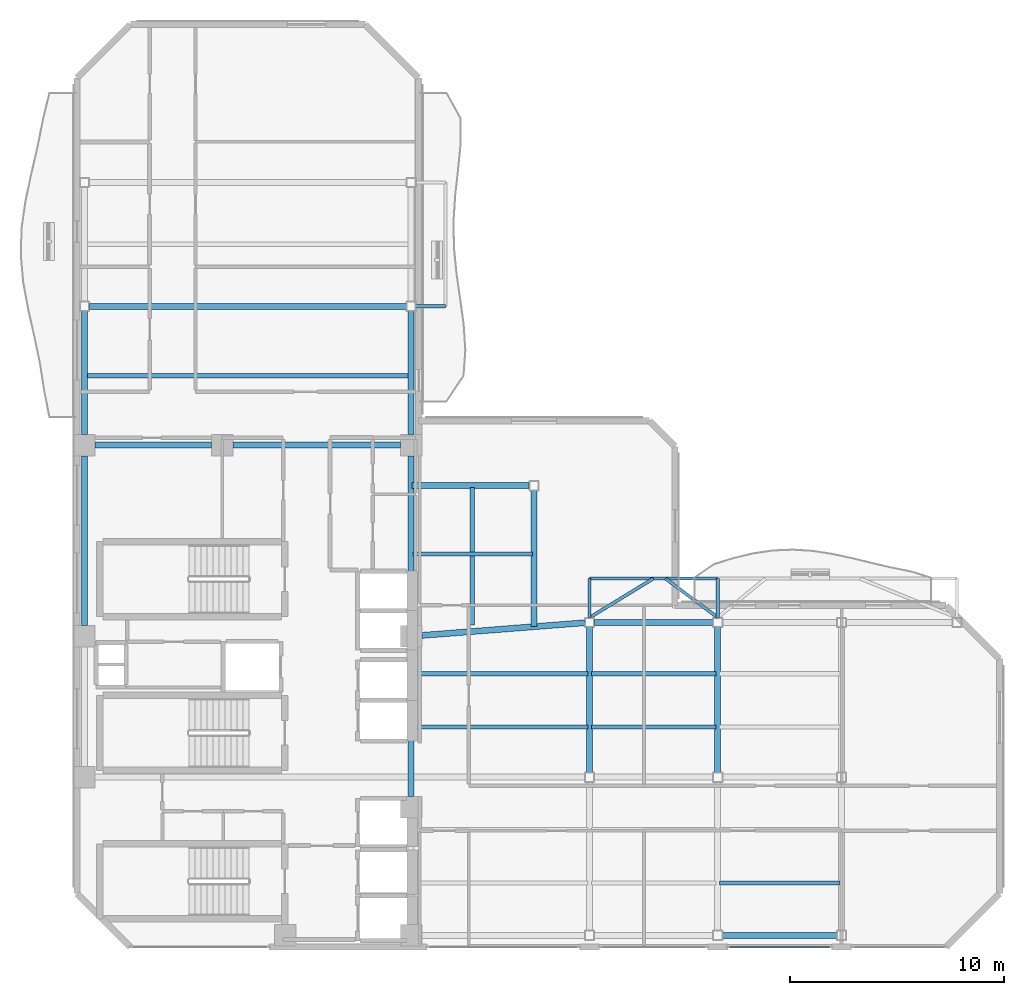
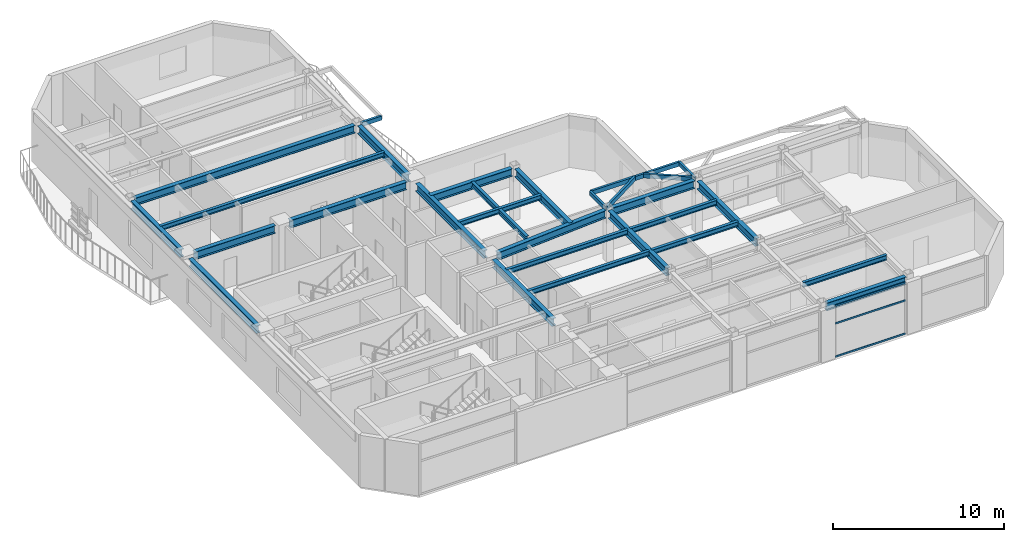
# One storey, part 6 of 17: 29 beams, 3 members, 1 element without a shape of its own.
"""IFC4 building model written with IfcOpenShell, lengths in metres."""

from ifc_helpers import new_model, si_unit, direction, frame, origin, origin_2d, place, context, subcontext, project, spatial, hollow_rectangle, i_section, extrude, material, layer, layer_set, material_profile, profile_set, type_object, element, aggregate, save


model = new_model("IFC4")

# Units and contexts
model_context = context("Model", 3, precision=1e-05, world=origin(), true_north=direction((0.0, 1.0)))
body_context = subcontext(model_context, "Body", "Model", "MODEL_VIEW")
ifc_project = project(units=[si_unit("LENGTHUNIT", "METRE"), si_unit("AREAUNIT", "SQUARE_METRE"), si_unit("VOLUMEUNIT", "CUBIC_METRE"), si_unit("PLANEANGLEUNIT", "RADIAN"), si_unit("MASSUNIT", "GRAM", prefix="KILO")], contexts=[model_context])

# Site, building, storey
site_placement = place(None, origin())
site = spatial("IfcSite", under=ifc_project, at=site_placement, CompositionType="ELEMENT")
building_placement = place(site_placement, origin())
building = spatial("IfcBuilding", under=site, at=building_placement, Name="Mawjaban Terraces University", CompositionType="ELEMENT")
storey_placement = place(building_placement, frame((0.0, 0.0, 183.60009765625)))
storey = spatial("IfcBuildingStorey", under=building, at=storey_placement, Name="L44", CompositionType="ELEMENT", Elevation=183.60009765625)

# Beams
ifc_material_1 = material(Name="Steel EN 10210-1 S355J2H", Category="steel")
ifc_material_profile_1 = material_profile(ifc_material_1, hollow_rectangle(XDim=0.14990234375, YDim=0.300048828125, WallThickness=0.012451171875, at=origin_2d()), Name="RHS300X150X12.5")
ifc_profile_set_1 = profile_set([ifc_material_profile_1], Name="Steel EN 10210-1 S355J2H")
beam_type_1 = type_object("IfcBeamType", Name="BalconyCantileverSpandrel_RHS", PredefinedType="SPANDREL", material=ifc_profile_set_1)
beam_1_placement = place(storey_placement, frame((52.0, 15.425048828125, 3.539794921875), z_axis=(0.0, 1.0, 0.0), x_axis=(-1.0, 0.0, 0.0)))
element("IfcBeam", 1, at=beam_1_placement, inside=storey, type_object=beam_type_1, Name="L44 Exterior Outrigger BAL-L45-N.1", PredefinedType="SPANDREL", context=body_context, shape_type="SweptSolid", body=[
    extrude(hollow_rectangle(XDim=0.14990234375, YDim=0.300048828125, WallThickness=0.012451171875, at=origin_2d()), origin(), (0.0, 0.0, 1.0), 1.824951171875),
])
beam_2_placement = place(storey_placement, frame((37.875, 30.0, 3.539794921875), z_axis=(1.0, 0.0, 0.0), x_axis=(0.0, 1.0, 0.0)))
element("IfcBeam", 2, at=beam_2_placement, inside=storey, type_object=beam_type_1, Name="L44 Exterior Outrigger BAL-L45-E.1", PredefinedType="SPANDREL", context=body_context, shape_type="SweptSolid", body=[
    extrude(hollow_rectangle(XDim=0.14990234375, YDim=0.300048828125, WallThickness=0.012451171875, at=origin_2d()), origin(), (0.0, 0.0, 1.0), 1.375),
])
beam_3_placement = place(storey_placement, frame((46.0, 15.425048828125, 3.539794921875), z_axis=(0.0, 1.0, 0.0), x_axis=(-1.0, 0.0, 0.0)))
element("IfcBeam", 3, at=beam_3_placement, inside=storey, type_object=beam_type_1, Name="L44 Exterior Outrigger TER-L45-CLIMB.1", PredefinedType="SPANDREL", context=body_context, shape_type="SweptSolid", body=[
    extrude(hollow_rectangle(XDim=0.14990234375, YDim=0.300048828125, WallThickness=0.012451171875, at=origin_2d()), origin(), (0.0, 0.0, 1.0), 1.824951171875),
])
beam_4_placement = place(storey_placement, frame((46.0, 17.25, 3.539794921875), z_axis=(1.0, 0.0, 0.0), x_axis=(0.0, 1.0, 0.0)))
element("IfcBeam", 4, at=beam_4_placement, inside=storey, type_object=beam_type_1, Name="L44 Exterior Edge Spandrel TER-L45-CLIMB", PredefinedType="SPANDREL", context=body_context, shape_type="SweptSolid", body=[
    extrude(hollow_rectangle(XDim=0.14990234375, YDim=0.300048828125, WallThickness=0.012451171875, at=origin_2d()), origin(), (0.0, 0.0, 1.0), 6.0),
])
beam_5_placement = place(storey_placement, frame((46.0, 15.425048828125, 3.539794921875), z_axis=(0.853190401933, 0.521599595522, 0.0), x_axis=(-0.521599595522, 0.853190401933, 0.0)))
element("IfcBeam", 5, at=beam_5_placement, inside=storey, type_object=beam_type_1, Name="L44 Exterior Diagonal Strut TER-L45-CLIMB.1", PredefinedType="SPANDREL", context=body_context, shape_type="SweptSolid", body=[
    extrude(hollow_rectangle(XDim=0.14990234375, YDim=0.300048828125, WallThickness=0.012451171875, at=origin_2d()), origin(), (0.0, 0.0, 1.0), 3.498779296875),
])
beam_6_placement = place(storey_placement, frame((52.0, 15.425048828125, 3.539794921875), z_axis=(-0.800211756754, 0.599717553814, 0.0), x_axis=(-0.599717553814, -0.800211756754, 0.0)))
element("IfcBeam", 6, at=beam_6_placement, inside=storey, type_object=beam_type_1, Name="L44 Exterior Diagonal Strut TER-L45-CLIMB.2", PredefinedType="SPANDREL", context=body_context, shape_type="SweptSolid", body=[
    extrude(hollow_rectangle(XDim=0.14990234375, YDim=0.300048828125, WallThickness=0.012451171875, at=origin_2d()), origin(), (0.0, 0.0, 1.0), 3.04296875),
])
ifc_material_2 = material(Name="Steel ASTM A572 Grade 50", Category="steel")
ifc_material_profile_2 = material_profile(ifc_material_2, i_section(OverallWidth=0.281005859375, OverallDepth=0.551025390625, WebThickness=0.01513671875, FlangeThickness=0.02587890625, at=origin_2d()), Name="W530X182")
ifc_profile_set_2 = profile_set([ifc_material_profile_2], Name="Steel ASTM A572 Grade 50")
beam_type_2 = type_object("IfcBeamType", Name="Beam_B_W530X182", PredefinedType="BEAM", material=ifc_profile_set_2)
beam_7_placement = place(storey_placement, frame((52.22509765625, 0.550048828125, 3.413818359375), z_axis=(1.0, 0.0, 0.0), x_axis=(0.0, 1.0, 0.0)))
element("IfcBeam", 7, at=beam_7_placement, inside=storey, type_object=beam_type_2, Name="L44 Beam BM-L44-EW-03", PredefinedType="BEAM", context=body_context, shape_type="SweptSolid", body=[
    extrude(i_section(OverallWidth=0.281005859375, OverallDepth=0.551025390625, WebThickness=0.01513671875, FlangeThickness=0.02587890625, at=origin_2d()), origin(), (0.0, 0.0, 1.0), 5.349853515625),
])
beam_8_placement = place(storey_placement, frame((46.22509765625, 15.199951171875, 3.413818359375), z_axis=(1.0, 0.0, 0.0), x_axis=(0.0, 1.0, 0.0)))
element("IfcBeam", 8, at=beam_8_placement, inside=storey, type_object=beam_type_2, Name="L44 Beam BM-L44-EW-07", PredefinedType="BEAM", context=body_context, shape_type="SweptSolid", body=[
    extrude(i_section(OverallWidth=0.281005859375, OverallDepth=0.551025390625, WebThickness=0.01513671875, FlangeThickness=0.02587890625, at=origin_2d()), origin(), (0.0, 0.0, 1.0), 5.5498046875),
])
beam_9_placement = place(storey_placement, frame((22.85009765625, 23.5, 3.413818359375), z_axis=(1.0, 0.0, 0.0), x_axis=(0.0, 1.0, 0.0)))
element("IfcBeam", 9, at=beam_9_placement, inside=storey, type_object=beam_type_2, Name="L44 Beam BM-L44-EW-10", PredefinedType="BEAM", context=body_context, shape_type="SweptSolid", body=[
    extrude(i_section(OverallWidth=0.281005859375, OverallDepth=0.551025390625, WebThickness=0.01513671875, FlangeThickness=0.02587890625, at=origin_2d()), origin(), (0.0, 0.0, 1.0), 5.449951171875),
])
beam_10_placement = place(storey_placement, frame((29.300048828125, 23.5, 3.413818359375), z_axis=(1.0, 0.0, 0.0), x_axis=(0.0, 1.0, 0.0)))
element("IfcBeam", 10, at=beam_10_placement, inside=storey, type_object=beam_type_2, Name="L44 Beam BM-L44-EW-11", PredefinedType="BEAM", context=body_context, shape_type="SweptSolid", body=[
    extrude(i_section(OverallWidth=0.281005859375, OverallDepth=0.551025390625, WebThickness=0.01513671875, FlangeThickness=0.02587890625, at=origin_2d()), origin(), (0.0, 0.0, 1.0), 7.849853515625),
])
beam_11_placement = place(storey_placement, frame((22.574951171875, 30.0, 3.413818359375), z_axis=(1.0, 0.0, 0.0), x_axis=(0.0, 1.0, 0.0)))
element("IfcBeam", 11, at=beam_11_placement, inside=storey, type_object=beam_type_2, Name="L44 Beam BM-L44-EW-12", PredefinedType="BEAM", context=body_context, shape_type="SweptSolid", body=[
    extrude(i_section(OverallWidth=0.281005859375, OverallDepth=0.551025390625, WebThickness=0.01513671875, FlangeThickness=0.02587890625, at=origin_2d()), origin(), (0.0, 0.0, 1.0), 14.85009765625),
])
beam_12_placement = place(storey_placement, frame((22.35009765625, 15.050048828125, 3.413818359375), z_axis=(0.0, 1.0, 0.0), x_axis=(-1.0, 0.0, 0.0)))
element("IfcBeam", 12, at=beam_12_placement, inside=storey, type_object=beam_type_2, Name="L44 Beam BM-L44-NS-02", PredefinedType="BEAM", context=body_context, shape_type="SweptSolid", body=[
    extrude(i_section(OverallWidth=0.281005859375, OverallDepth=0.551025390625, WebThickness=0.01513671875, FlangeThickness=0.02587890625, at=origin_2d()), origin(), (0.0, 0.0, 1.0), 7.949951171875),
])
beam_13_placement = place(storey_placement, frame((22.35009765625, 24.0, 3.413818359375), z_axis=(0.0, 1.0, 0.0), x_axis=(-1.0, 0.0, 0.0)))
element("IfcBeam", 13, at=beam_13_placement, inside=storey, type_object=beam_type_2, Name="L44 Beam BM-L44-NS-03", PredefinedType="BEAM", context=body_context, shape_type="SweptSolid", body=[
    extrude(i_section(OverallWidth=0.281005859375, OverallDepth=0.551025390625, WebThickness=0.01513671875, FlangeThickness=0.02587890625, at=origin_2d()), origin(), (0.0, 0.0, 1.0), 5.77490234375),
])
beam_14_placement = place(storey_placement, frame((37.64990234375, 7.050048828125, 3.413818359375), z_axis=(0.0, 1.0, 0.0), x_axis=(-1.0, 0.0, 0.0)))
element("IfcBeam", 14, at=beam_14_placement, inside=storey, type_object=beam_type_2, Name="L44 Beam BM-L44-NS-06", PredefinedType="BEAM", context=body_context, shape_type="SweptSolid", body=[
    extrude(i_section(OverallWidth=0.281005859375, OverallDepth=0.551025390625, WebThickness=0.01513671875, FlangeThickness=0.02587890625, at=origin_2d()), origin(), (0.0, 0.0, 1.0), 7.0),
])
beam_15_placement = place(storey_placement, frame((37.64990234375, 15.050048828125, 3.413818359375), z_axis=(0.0, 1.0, 0.0), x_axis=(-1.0, 0.0, 0.0)))
element("IfcBeam", 15, at=beam_15_placement, inside=storey, type_object=beam_type_2, Name="L44 Beam BM-L44-NS-07", PredefinedType="BEAM", context=body_context, shape_type="SweptSolid", body=[
    extrude(i_section(OverallWidth=0.281005859375, OverallDepth=0.551025390625, WebThickness=0.01513671875, FlangeThickness=0.02587890625, at=origin_2d()), origin(), (0.0, 0.0, 1.0), 7.949951171875),
])
beam_16_placement = place(storey_placement, frame((37.64990234375, 24.0, 3.413818359375), z_axis=(0.0, 1.0, 0.0), x_axis=(-1.0, 0.0, 0.0)))
element("IfcBeam", 16, at=beam_16_placement, inside=storey, type_object=beam_type_2, Name="L44 Beam BM-L44-NS-08", PredefinedType="BEAM", context=body_context, shape_type="SweptSolid", body=[
    extrude(i_section(OverallWidth=0.281005859375, OverallDepth=0.551025390625, WebThickness=0.01513671875, FlangeThickness=0.02587890625, at=origin_2d()), origin(), (0.0, 0.0, 1.0), 5.77490234375),
])
for number, where, z_axis, x_axis, name in (
    (17, (46.0, 8.175048828125, 3.413818359375), (0.0, 1.0, 0.0), (-1.0, 0.0, 0.0), "L44 Beam BM-L44-NS-11"),
    (18, (52.0, 8.175048828125, 3.413818359375), (0.0, 1.0, 0.0), (-1.0, 0.0, 0.0), "L44 Beam BM-L44-NS-13"),
):
    element("IfcBeam", number, at=place(storey_placement, frame(where, z_axis=z_axis, x_axis=x_axis)), inside=storey, type_object=beam_type_2, Name=name, PredefinedType="BEAM", context=body_context, shape_type="SweptSolid", body=[
        extrude(i_section(OverallWidth=0.281005859375, OverallDepth=0.551025390625, WebThickness=0.01513671875, FlangeThickness=0.02587890625, at=origin_2d()), origin(), (0.0, 0.0, 1.0), 6.800048828125),
    ])
beam_17_placement = place(storey_placement, frame((38.14794921875, 14.589111328125, 3.413818359375), z_axis=(0.99698177718, 0.077635919341, 0.0), x_axis=(-0.077635919341, 0.99698177718, 0.0)))
element("IfcBeam", 19, at=beam_17_placement, inside=storey, type_object=beam_type_2, Name="L44 Beam BM-L44-CTIE", PredefinedType="BEAM", context=body_context, shape_type="SweptSolid", body=[
    extrude(i_section(OverallWidth=0.281005859375, OverallDepth=0.551025390625, WebThickness=0.01513671875, FlangeThickness=0.02587890625, at=origin_2d()), origin(), (0.0, 0.0, 1.0), 7.651123046875),
])
beam_18_placement = place(storey_placement, frame((37.679931640625, 21.60009765625, 3.413818359375), z_axis=(1.0, 0.0, 0.0), x_axis=(0.0, 1.0, 0.0)))
element("IfcBeam", 20, at=beam_18_placement, inside=storey, type_object=beam_type_2, Name="L44 Spur Tie Girder West", PredefinedType="BEAM", context=body_context, shape_type="SweptSolid", body=[
    extrude(i_section(OverallWidth=0.281005859375, OverallDepth=0.551025390625, WebThickness=0.01513671875, FlangeThickness=0.02587890625, at=origin_2d()), origin(), (0.0, 0.0, 1.0), 5.4951171875),
])
beam_19_placement = place(storey_placement, frame((43.39990234375, 15.0, 3.413818359375), z_axis=(0.0, 1.0, 0.0), x_axis=(-1.0, 0.0, 0.0)))
element("IfcBeam", 21, at=beam_19_placement, inside=storey, type_object=beam_type_2, Name="L44 Spur Tie Girder South", PredefinedType="BEAM", context=body_context, shape_type="SweptSolid", body=[
    extrude(i_section(OverallWidth=0.281005859375, OverallDepth=0.551025390625, WebThickness=0.01513671875, FlangeThickness=0.02587890625, at=origin_2d()), origin(), (0.0, 0.0, 1.0), 6.375),
])
ifc_material_profile_3 = material_profile(ifc_material_2, i_section(OverallWidth=0.202880859375, OverallDepth=0.346923828125, WebThickness=0.0078125, FlangeThickness=0.013427734375, at=origin_2d()), Name="W360X64")
ifc_profile_set_3 = profile_set([ifc_material_profile_3], Name="Steel ASTM A572 Grade 50")
beam_type_3 = type_object("IfcBeamType", Name="Beam_J_W360X64", PredefinedType="JOIST", material=ifc_profile_set_3)
beam_20_placement = place(storey_placement, frame((52.080078125, 3.0, 3.516845703125), z_axis=(1.0, 0.0, 0.0), x_axis=(0.0, 1.0, 0.0)))
element("IfcBeam", 22, at=beam_20_placement, inside=storey, type_object=beam_type_3, Name="L44 Composite Joist JST-L44-03", PredefinedType="JOIST", context=body_context, shape_type="SweptSolid", body=[
    extrude(i_section(OverallWidth=0.202880859375, OverallDepth=0.346923828125, WebThickness=0.0078125, FlangeThickness=0.013427734375, at=origin_2d()), origin(), (0.0, 0.0, 1.0), 5.639892578125),
])
beam_21_placement = place(storey_placement, frame((37.72998046875, 10.300048828125, 3.516845703125), z_axis=(1.0, 0.0, 0.0), x_axis=(0.0, 1.0, 0.0)))
element("IfcBeam", 23, at=beam_21_placement, inside=storey, type_object=beam_type_3, Name="L44 Composite Joist JST-L44-07", PredefinedType="JOIST", context=body_context, shape_type="SweptSolid", body=[
    extrude(i_section(OverallWidth=0.202880859375, OverallDepth=0.346923828125, WebThickness=0.0078125, FlangeThickness=0.013427734375, at=origin_2d()), origin(), (0.0, 0.0, 1.0), 8.18994140625),
])
beam_22_placement = place(storey_placement, frame((46.080078125, 10.300048828125, 3.516845703125), z_axis=(1.0, 0.0, 0.0), x_axis=(0.0, 1.0, 0.0)))
element("IfcBeam", 24, at=beam_22_placement, inside=storey, type_object=beam_type_3, Name="L44 Composite Joist JST-L44-08", PredefinedType="JOIST", context=body_context, shape_type="SweptSolid", body=[
    extrude(i_section(OverallWidth=0.202880859375, OverallDepth=0.346923828125, WebThickness=0.0078125, FlangeThickness=0.013427734375, at=origin_2d()), origin(), (0.0, 0.0, 1.0), 5.83984375),
])
beam_23_placement = place(storey_placement, frame((37.72998046875, 12.800048828125, 3.516845703125), z_axis=(1.0, 0.0, 0.0), x_axis=(0.0, 1.0, 0.0)))
element("IfcBeam", 25, at=beam_23_placement, inside=storey, type_object=beam_type_3, Name="L44 Composite Joist JST-L44-10", PredefinedType="JOIST", context=body_context, shape_type="SweptSolid", body=[
    extrude(i_section(OverallWidth=0.202880859375, OverallDepth=0.346923828125, WebThickness=0.0078125, FlangeThickness=0.013427734375, at=origin_2d()), origin(), (0.0, 0.0, 1.0), 8.18994140625),
])
beam_24_placement = place(storey_placement, frame((46.080078125, 12.800048828125, 3.516845703125), z_axis=(1.0, 0.0, 0.0), x_axis=(0.0, 1.0, 0.0)))
element("IfcBeam", 26, at=beam_24_placement, inside=storey, type_object=beam_type_3, Name="L44 Composite Joist JST-L44-11", PredefinedType="JOIST", context=body_context, shape_type="SweptSolid", body=[
    extrude(i_section(OverallWidth=0.202880859375, OverallDepth=0.346923828125, WebThickness=0.0078125, FlangeThickness=0.013427734375, at=origin_2d()), origin(), (0.0, 0.0, 1.0), 5.83984375),
])
beam_25_placement = place(storey_placement, frame((37.72998046875, 18.39990234375, 3.516845703125), z_axis=(1.0, 0.0, 0.0), x_axis=(0.0, 1.0, 0.0)))
element("IfcBeam", 27, at=beam_25_placement, inside=storey, type_object=beam_type_3, Name="L44 Composite Joist JST-L44-13", PredefinedType="JOIST", context=body_context, shape_type="SweptSolid", body=[
    extrude(i_section(OverallWidth=0.202880859375, OverallDepth=0.346923828125, WebThickness=0.0078125, FlangeThickness=0.013427734375, at=origin_2d()), origin(), (0.0, 0.0, 1.0), 5.590087890625),
])
beam_26_placement = place(storey_placement, frame((22.429931640625, 26.75, 3.516845703125), z_axis=(1.0, 0.0, 0.0), x_axis=(0.0, 1.0, 0.0)))
element("IfcBeam", 28, at=beam_26_placement, inside=storey, type_object=beam_type_3, Name="L44 Composite Joist JST-L44-14", PredefinedType="JOIST", context=body_context, shape_type="SweptSolid", body=[
    extrude(i_section(OverallWidth=0.202880859375, OverallDepth=0.346923828125, WebThickness=0.0078125, FlangeThickness=0.013427734375, at=origin_2d()), origin(), (0.0, 0.0, 1.0), 15.14013671875),
])
beam_27_placement = place(storey_placement, frame((40.5, 15.080078125, 3.516845703125), z_axis=(0.0, 1.0, 0.0), x_axis=(-1.0, 0.0, 0.0)))
element("IfcBeam", 29, at=beam_27_placement, inside=storey, type_object=beam_type_3, Name="L44 Composite Joist JST-L44-NS-16", PredefinedType="JOIST", context=body_context, shape_type="SweptSolid", body=[
    extrude(i_section(OverallWidth=0.202880859375, OverallDepth=0.346923828125, WebThickness=0.0078125, FlangeThickness=0.013427734375, at=origin_2d()), origin(), (0.0, 0.0, 1.0), 6.43994140625),
])

# Curtain wall, members
ifc_material_3 = material(Name="Anodised aluminium 6063-T6 and solar-control low-E glass", Category="aluminium")
ifc_layer = layer(ifc_material_3, 0.159912109375)
ifc_layer_set = layer_set([ifc_layer], Name="Anodised aluminium 6063-T6 and solar-control low-E glass")
curtain_wall_type = type_object("IfcCurtainWallType", Name="CWSystem_03_NorthWing", PredefinedType="NOTDEFINED", material=ifc_layer_set)
curtain_wall_placement = place(storey_placement, origin())
curtain_wall = element("IfcCurtainWall", 30, at=curtain_wall_placement, inside=storey, type_object=curtain_wall_type, Name="L44 Curtain Wall CW-03 Run 1.4", PredefinedType="NOTDEFINED")
ifc_material_4 = material(Name="Anodised aluminium 6063-T6", Category="aluminium")
ifc_material_profile_4 = material_profile(ifc_material_4, hollow_rectangle(XDim=0.06005859375, YDim=0.1201171875, WallThickness=0.00341796875, at=origin_2d()), Name="ALU120X60X3.5")
ifc_profile_set_4 = profile_set([ifc_material_profile_4], Name="Anodised aluminium 6063-T6")
member_type = type_object("IfcMemberType", Name="Transom_CW-03", PredefinedType="NOTDEFINED", material=ifc_profile_set_4)
member_1_placement = place(storey_placement, frame((52.5400390625, 0.0, 0.02978515625), z_axis=(1.0, 0.0, 0.0), x_axis=(0.0, 1.0, 0.0)))
member_1 = element("IfcMember", 31, at=member_1_placement, type_object=member_type, Name="CW-03 transom 1.1", ObjectType="TRANSOM", PredefinedType="USERDEFINED", context=body_context, shape_type="SweptSolid", body=[
    extrude(hollow_rectangle(XDim=0.06005859375, YDim=0.1201171875, WallThickness=0.00341796875, at=origin_2d()), origin(), (0.0, 0.0, 1.0), 4.719970703125),
])
member_2_placement = place(storey_placement, frame((52.5400390625, 0.0, 2.39794921875), z_axis=(1.0, 0.0, 0.0), x_axis=(0.0, 1.0, 0.0)))
member_2 = element("IfcMember", 32, at=member_2_placement, type_object=member_type, Name="CW-03 transom 1.2", ObjectType="TRANSOM", PredefinedType="USERDEFINED", context=body_context, shape_type="SweptSolid", body=[
    extrude(hollow_rectangle(XDim=0.06005859375, YDim=0.1201171875, WallThickness=0.00341796875, at=origin_2d()), origin(), (0.0, 0.0, 1.0), 4.719970703125),
])
member_3_placement = place(storey_placement, frame((52.5400390625, 0.0, 3.659912109375), z_axis=(1.0, 0.0, 0.0), x_axis=(0.0, 1.0, 0.0)))
member_3 = element("IfcMember", 33, at=member_3_placement, type_object=member_type, Name="CW-03 transom 1.3", ObjectType="TRANSOM", PredefinedType="USERDEFINED", context=body_context, shape_type="SweptSolid", body=[
    extrude(hollow_rectangle(XDim=0.06005859375, YDim=0.1201171875, WallThickness=0.00341796875, at=origin_2d()), origin(), (0.0, 0.0, 1.0), 4.719970703125),
])
aggregate(curtain_wall, [member_1, member_2, member_3])

save(model, "model.ifc")
